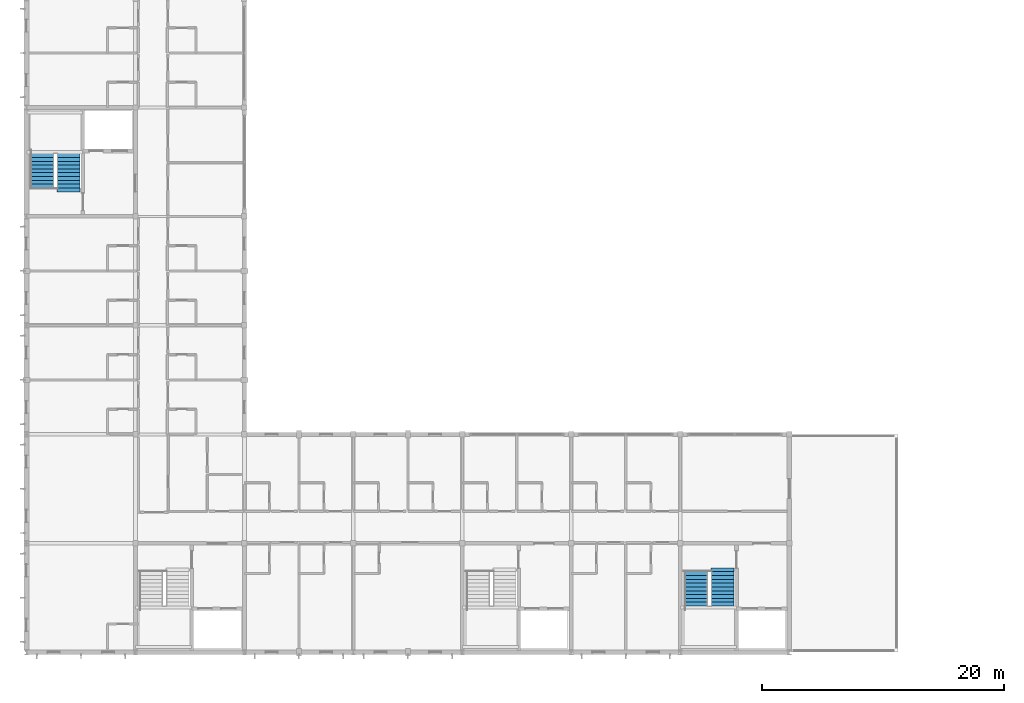
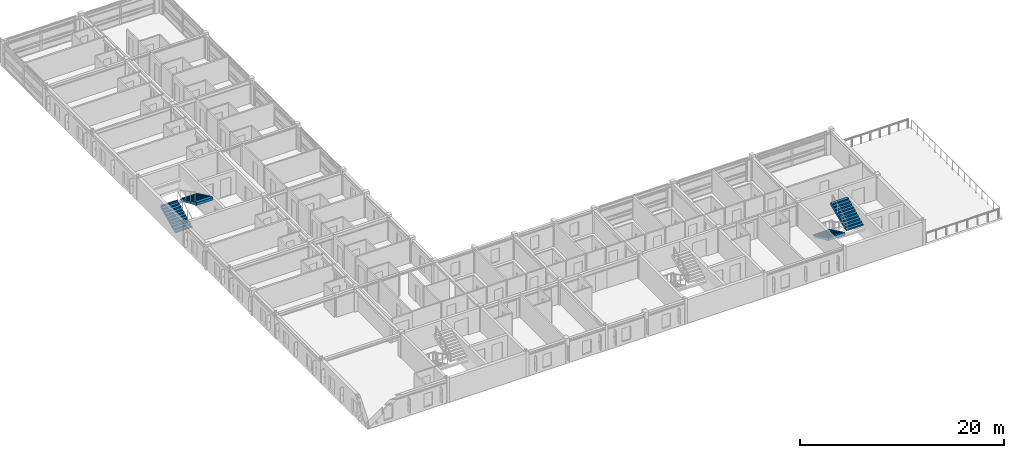
# One storey, part 17 of 24: 4 stair flights, 2 elements without a shape of their own.
"""IFC4 building model written with IfcOpenShell, lengths in metres."""

from ifc_helpers import new_model, si_unit, direction, frame, origin, place, context, subcontext, project, spatial, polyline, outline, extrude, material, type_object, element, aggregate, save


model = new_model("IFC4")

# Units and contexts
model_context = context("Model", 3, precision=1e-05, world=origin(), true_north=direction((0.0, 1.0)))
body_context = subcontext(model_context, "Body", "Model", "MODEL_VIEW")
ifc_project = project(units=[si_unit("LENGTHUNIT", "METRE"), si_unit("AREAUNIT", "SQUARE_METRE"), si_unit("VOLUMEUNIT", "CUBIC_METRE"), si_unit("PLANEANGLEUNIT", "RADIAN"), si_unit("MASSUNIT", "GRAM", prefix="KILO")], contexts=[model_context])

# Site, building, storey
site_placement = place(None, origin())
site = spatial("IfcSite", under=ifc_project, at=site_placement, CompositionType="ELEMENT")
building_placement = place(site_placement, origin())
building = spatial("IfcBuilding", under=site, at=building_placement, Name="Palais des Congres Ocreval", CompositionType="ELEMENT")
storey_placement = place(building_placement, frame((0.0, 0.0, 17.60009765625)))
storey = spatial("IfcBuildingStorey", under=building, at=storey_placement, Name="L05", CompositionType="ELEMENT", Elevation=17.60009765625)

# Stair, stair flights
ifc_material = material(Name="Concrete C40/50", Category="concrete")
stair_type = type_object("IfcStairType", Name="Hotel Core Stair L03-L06 1900 Concrete C40/50", PredefinedType="HALF_TURN_STAIR", material=ifc_material)
stair_1_placement = place(storey_placement, origin())
stair_1 = element("IfcStair", 1, at=stair_1_placement, inside=storey, type_object=stair_type, Name="Protected Core Stair ST03 L05", PredefinedType="HALF_TURN_STAIR")
stair_flight_type = type_object("IfcStairFlightType", Name="Hotel Stair Flight 10R x 152/295 W1900 Concrete C40/50", PredefinedType="STRAIGHT", material=ifc_material)
stair_flight_1_placement = place(storey_placement, frame((1.320068359375, 38.35009765625, 0.0), z_axis=(0.0, 0.0, 1.0), x_axis=(0.0, 1.0, 0.0)))
stair_flight_1 = element("IfcStairFlight", 2, at=stair_flight_1_placement, type_object=stair_flight_type, Name="Stair ST03 L05 Flight 1", NumberOfRisers=10, NumberOfTreads=9, PredefinedType="STRAIGHT", RiserHeight=0.152, TreadLength=0.315, context=body_context, shape_type="SweptSolid", body=[
    extrude(outline(polyline([(-0.006103515625, 0.0), (-0.006103515625, 0.075927734375), (0.0, 0.152099609375), (0.31494140625, 0.152099609375), (0.31494140625, 0.303955078125), (0.6298828125, 0.303955078125), (0.6298828125, 0.4560546875), (0.945068359375, 0.4560546875), (0.945068359375, 0.60791015625), (1.260009765625, 0.60791015625), (1.260009765625, 0.760009765625), (1.574951171875, 0.760009765625), (1.574951171875, 0.912109375), (1.889892578125, 0.912109375), (1.889892578125, 1.06396484375), (2.205078125, 1.06396484375), (2.205078125, 1.216064453125), (2.52001953125, 1.216064453125), (2.52001953125, 1.367919921875), (2.8349609375, 1.367919921875), (2.8349609375, 1.52001953125), (2.9951171875, 1.52001953125), (2.9951171875, 1.1904296875), (0.367919921875, 0.0), (-0.006103515625, 0.0)])), frame((0.0, 0.949951171875, 0.0), z_axis=(0.0, -1.0, 0.0), x_axis=(1.0, 0.0, 0.0)), (0.0, 0.0, 1.0), 1.89990234375),
])
stair_flight_2_placement = place(storey_placement, frame((3.47998046875, 41.18505859375, 1.52001953125), z_axis=(0.0, 0.0, 1.0), x_axis=(0.0, -1.0, 0.0)))
stair_flight_2 = element("IfcStairFlight", 3, at=stair_flight_2_placement, type_object=stair_flight_type, Name="Stair ST03 L05 Flight 2", NumberOfRisers=10, NumberOfTreads=9, PredefinedType="STRAIGHT", RiserHeight=0.152, TreadLength=0.315, context=body_context, shape_type="SweptSolid", body=[
    extrude(outline(polyline([(-0.006103515625, 0.0), (-0.006103515625, 0.075927734375), (0.0, 0.152099609375), (0.31494140625, 0.152099609375), (0.31494140625, 0.303955078125), (0.6298828125, 0.303955078125), (0.6298828125, 0.4560546875), (0.945068359375, 0.4560546875), (0.945068359375, 0.60791015625), (1.260009765625, 0.60791015625), (1.260009765625, 0.760009765625), (1.574951171875, 0.760009765625), (1.574951171875, 0.912109375), (1.889892578125, 0.912109375), (1.889892578125, 1.06396484375), (2.205078125, 1.06396484375), (2.205078125, 1.216064453125), (2.52001953125, 1.216064453125), (2.52001953125, 1.367919921875), (2.8349609375, 1.367919921875), (2.8349609375, 1.52001953125), (3.14990234375, 1.52001953125), (3.14990234375, 1.1904296875), (0.367919921875, 0.0), (-0.006103515625, 0.0)])), frame((0.0, 0.949951171875, 0.0), z_axis=(0.0, -1.0, 0.0), x_axis=(1.0, 0.0, 0.0)), (0.0, 0.0, 1.0), 1.89990234375),
])
aggregate(stair_1, [stair_flight_1, stair_flight_2])

stair_2_placement = place(storey_placement, origin())
stair_2 = element("IfcStair", 4, at=stair_2_placement, inside=storey, type_object=stair_type, Name="Protected Core Stair ST04 L05", PredefinedType="HALF_TURN_STAIR")
stair_flight_3_placement = place(storey_placement, frame((55.320068359375, 6.64990234375, 0.0), z_axis=(0.0, 0.0, 1.0), x_axis=(0.0, -1.0, 0.0)))
stair_flight_3 = element("IfcStairFlight", 5, at=stair_flight_3_placement, type_object=stair_flight_type, Name="Stair ST04 L05 Flight 1", NumberOfRisers=10, NumberOfTreads=9, PredefinedType="STRAIGHT", RiserHeight=0.152, TreadLength=0.315, context=body_context, shape_type="SweptSolid", body=[
    extrude(outline(polyline([(-0.006103515625, 0.0), (-0.006103515625, 0.075927734375), (0.0, 0.152099609375), (0.31494140625, 0.152099609375), (0.31494140625, 0.303955078125), (0.6298828125, 0.303955078125), (0.6298828125, 0.4560546875), (0.945068359375, 0.4560546875), (0.945068359375, 0.60791015625), (1.260009765625, 0.60791015625), (1.260009765625, 0.760009765625), (1.574951171875, 0.760009765625), (1.574951171875, 0.912109375), (1.889892578125, 0.912109375), (1.889892578125, 1.06396484375), (2.205078125, 1.06396484375), (2.205078125, 1.216064453125), (2.52001953125, 1.216064453125), (2.52001953125, 1.367919921875), (2.8349609375, 1.367919921875), (2.8349609375, 1.52001953125), (2.9951171875, 1.52001953125), (2.9951171875, 1.1904296875), (0.367919921875, 0.0), (-0.006103515625, 0.0)])), frame((0.0, 0.949951171875, 0.0), z_axis=(0.0, -1.0, 0.0), x_axis=(1.0, 0.0, 0.0)), (0.0, 0.0, 1.0), 1.89990234375),
])
stair_flight_4_placement = place(storey_placement, frame((57.47998046875, 3.81494140625, 1.52001953125), z_axis=(0.0, 0.0, 1.0), x_axis=(0.0, 1.0, 0.0)))
stair_flight_4 = element("IfcStairFlight", 6, at=stair_flight_4_placement, type_object=stair_flight_type, Name="Stair ST04 L05 Flight 2", NumberOfRisers=10, NumberOfTreads=9, PredefinedType="STRAIGHT", RiserHeight=0.152, TreadLength=0.315, context=body_context, shape_type="SweptSolid", body=[
    extrude(outline(polyline([(-0.006103515625, 0.0), (-0.006103515625, 0.075927734375), (0.0, 0.152099609375), (0.31494140625, 0.152099609375), (0.31494140625, 0.303955078125), (0.6298828125, 0.303955078125), (0.6298828125, 0.4560546875), (0.945068359375, 0.4560546875), (0.945068359375, 0.60791015625), (1.260009765625, 0.60791015625), (1.260009765625, 0.760009765625), (1.574951171875, 0.760009765625), (1.574951171875, 0.912109375), (1.889892578125, 0.912109375), (1.889892578125, 1.06396484375), (2.205078125, 1.06396484375), (2.205078125, 1.216064453125), (2.52001953125, 1.216064453125), (2.52001953125, 1.367919921875), (2.8349609375, 1.367919921875), (2.8349609375, 1.52001953125), (3.14990234375, 1.52001953125), (3.14990234375, 1.1904296875), (0.367919921875, 0.0), (-0.006103515625, 0.0)])), frame((0.0, 0.949951171875, 0.0), z_axis=(0.0, -1.0, 0.0), x_axis=(1.0, 0.0, 0.0)), (0.0, 0.0, 1.0), 1.89990234375),
])
aggregate(stair_2, [stair_flight_3, stair_flight_4])

save(model, "model.ifc")
